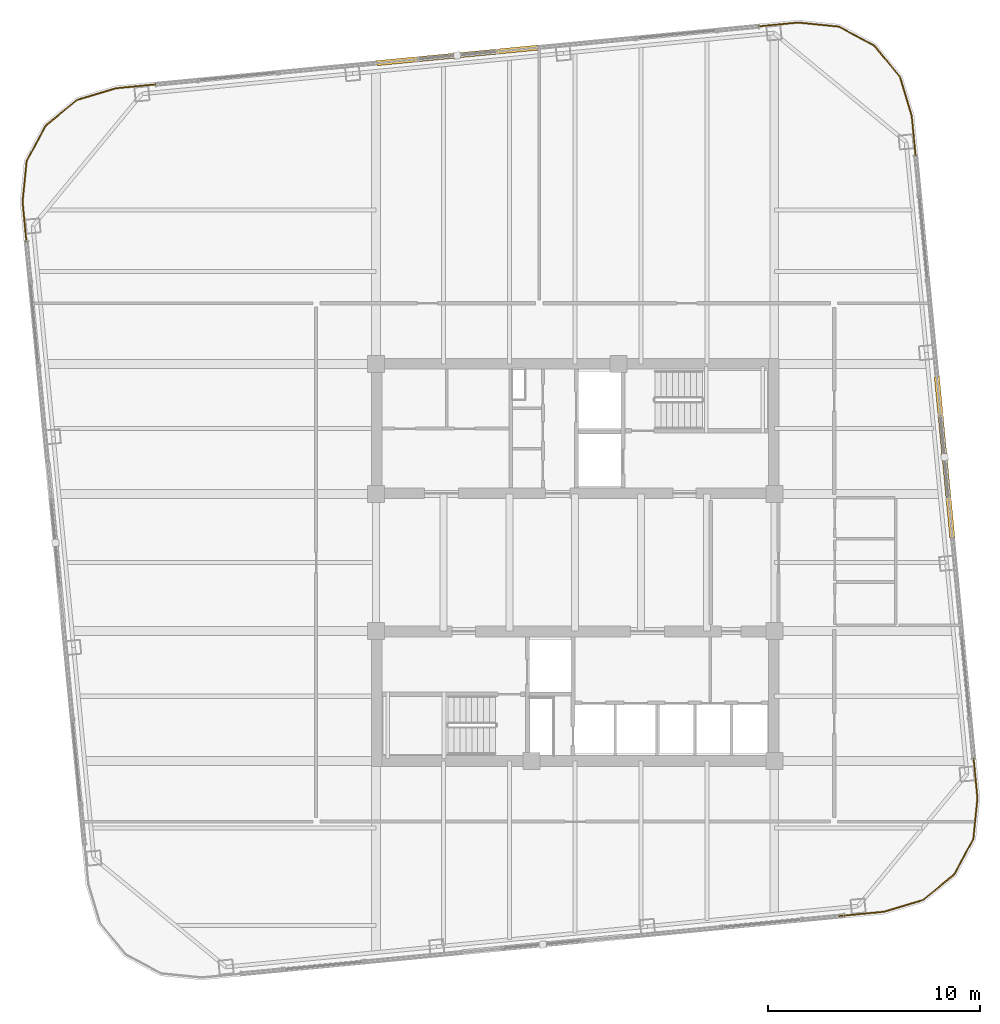
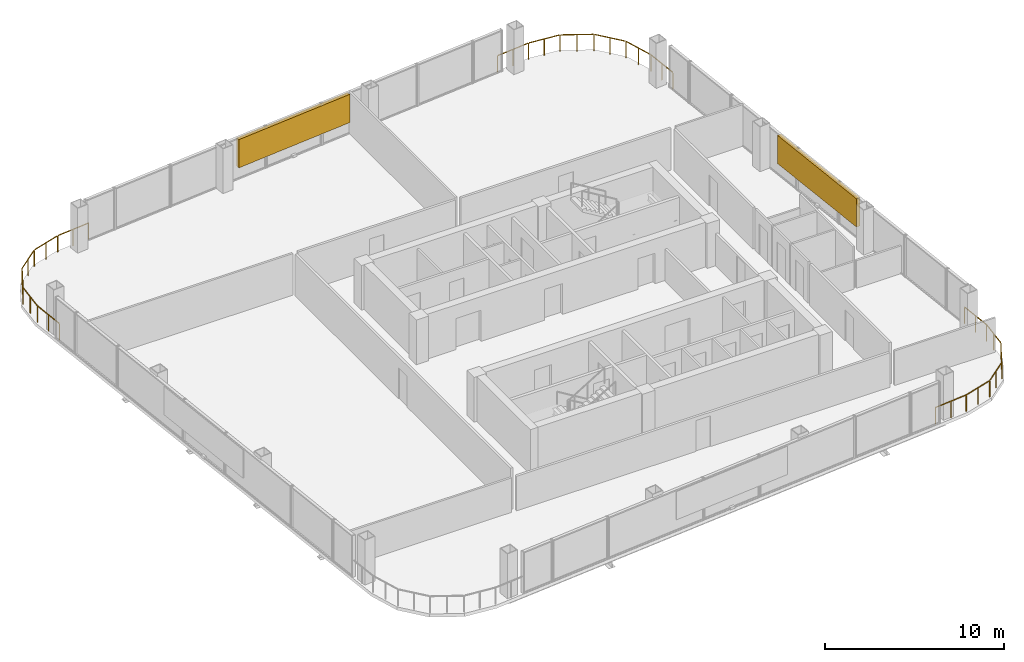
# One storey, part 21 of 21: 4 railings, 2 shading devices.
"""IFC4 building model written with IfcOpenShell, lengths in metres."""

from ifc_helpers import new_model, si_unit, direction, frame, origin, origin_2d, place, context, subcontext, project, spatial, rectangle, extrude, material, type_object, element, save


model = new_model("IFC4")

# Units and contexts
model_context = context("Model", 3, precision=1e-05, world=origin(), true_north=direction((0.0, 1.0)))
body_context = subcontext(model_context, "Body", "Model", "MODEL_VIEW")
ifc_project = project(units=[si_unit("LENGTHUNIT", "METRE"), si_unit("AREAUNIT", "SQUARE_METRE"), si_unit("VOLUMEUNIT", "CUBIC_METRE"), si_unit("PLANEANGLEUNIT", "RADIAN"), si_unit("MASSUNIT", "GRAM", prefix="KILO")], contexts=[model_context])

# Site, building, storey
site_placement = place(None, origin())
site = spatial("IfcSite", under=ifc_project, at=site_placement, CompositionType="ELEMENT")
building_placement = place(site_placement, origin())
building = spatial("IfcBuilding", under=site, at=building_placement, Name="Qhalaya Broadcast Tower", CompositionType="ELEMENT")
storey_placement = place(building_placement, frame((0.0, 0.0, 162.25)))
storey = spatial("IfcBuildingStorey", under=building, at=storey_placement, Name="L47", CompositionType="ELEMENT", Elevation=162.25)

# Railings
ifc_material_1 = material(Name="Powder-Coated Galvanised Steel", Category="steel")
railing_type = type_object("IfcRailingType", Name="Terrace, Sky-Pool & Lookout Glass Balustrade 1150", PredefinedType="BALUSTRADE", material=ifc_material_1)
railing_1_placement = place(storey_placement, frame((14.53955078125, -15.846435546875, 0.0)))
element("IfcRailing", 1, at=railing_1_placement, inside=storey, type_object=railing_type, Name="L47 Rounded Corner Perimeter Guard 01", PredefinedType="BALUSTRADE", context=body_context, shape_type="SweptSolid", body=[
    extrude(rectangle(XDim=0.048095703125, YDim=0.048095703125, at=origin_2d()), frame((0.0, 0.0, 1.1259765625), z_axis=(-0.995402268864, -0.095782687057, 0.0), x_axis=(0.095782687057, -0.995402268864, 0.0)), (0.0, 0.0, 1.0), 2.1181640625),
    extrude(rectangle(XDim=0.0419921875, YDim=0.0419921875, at=origin_2d()), origin(), (0.0, 0.0, 1.0), 1.099853515625),
    extrude(rectangle(XDim=0.0419921875, YDim=0.0419921875, at=origin_2d()), frame((-1.05419921875, -0.1015625, 0.0)), (0.0, 0.0, 1.0), 1.099853515625),
    extrude(rectangle(XDim=0.0419921875, YDim=0.0419921875, at=origin_2d()), frame((-2.1083984375, -0.202880859375, 0.0)), (0.0, 0.0, 1.0), 1.099853515625),
])
railing_2_placement = place(storey_placement, frame((-25.81689453125, 15.479736328125, 0.0)))
element("IfcRailing", 2, at=railing_2_placement, inside=storey, type_object=railing_type, Name="L47 Rounded Corner Perimeter Guard 03", PredefinedType="BALUSTRADE", context=body_context, shape_type="SweptSolid", body=[
    extrude(rectangle(XDim=0.048095703125, YDim=0.048095703125, at=origin_2d()), frame((0.0, 0.0, 1.1259765625), z_axis=(-0.095896889673, 0.995391273094, 0.0), x_axis=(-0.995391273094, -0.095896889673, 0.0)), (0.0, 0.0, 1.0), 2.08935546875),
    extrude(rectangle(XDim=0.048095703125, YDim=0.048095703125, at=origin_2d()), frame((-0.2001953125, 2.13720703125, 1.1259765625), z_axis=(0.100185175984, 0.994968808814, 0.0), x_axis=(-0.994968808814, 0.100185175984, 0.0)), (0.0, 0.0, 1.0), 1.857666015625),
    extrude(rectangle(XDim=0.048095703125, YDim=0.048095703125, at=origin_2d()), frame((0.00244140625, 4.03955078125, 1.1259765625), z_axis=(0.473342342286, 0.880878554058, 0.0), x_axis=(-0.880878554058, 0.473342342286, 0.0)), (0.0, 0.0, 1.0), 1.845458984375),
    extrude(rectangle(XDim=0.048095703125, YDim=0.048095703125, at=origin_2d()), frame((0.912109375, 5.708984375, 1.1259765625), z_axis=(0.774368685352, 0.632734651451, 0.0), x_axis=(-0.632734651451, 0.774368685352, 0.0)), (0.0, 0.0, 1.0), 1.84521484375),
    extrude(rectangle(XDim=0.048095703125, YDim=0.048095703125, at=origin_2d()), frame((2.390869140625, 6.903076171875, 1.1259765625), z_axis=(0.957576860039, 0.288177995547, 0.0), x_axis=(-0.288177995547, 0.957576860039, 0.0)), (0.0, 0.0, 1.0), 1.857666015625),
    extrude(rectangle(XDim=0.048095703125, YDim=0.048095703125, at=origin_2d()), frame((4.226318359375, 7.449462890625, 1.1259765625), z_axis=(0.995402268864, 0.095782687057, 0.0), x_axis=(-0.095782687057, 0.995402268864, 0.0)), (0.0, 0.0, 1.0), 2.08935546875),
    extrude(rectangle(XDim=0.0419921875, YDim=0.0419921875, at=origin_2d()), origin(), (0.0, 0.0, 1.0), 1.099853515625),
    extrude(rectangle(XDim=0.0419921875, YDim=0.0419921875, at=origin_2d()), frame((-0.1015625, 1.05419921875, 0.0)), (0.0, 0.0, 1.0), 1.099853515625),
    extrude(rectangle(XDim=0.0419921875, YDim=0.0419921875, at=origin_2d()), frame((-0.203125, 2.1083984375, 0.0)), (0.0, 0.0, 1.0), 1.099853515625),
    extrude(rectangle(XDim=0.0419921875, YDim=0.0419921875, at=origin_2d()), frame((-0.107177734375, 3.061279296875, 0.0)), (0.0, 0.0, 1.0), 1.099853515625),
    extrude(rectangle(XDim=0.0419921875, YDim=0.0419921875, at=origin_2d()), frame((-0.01123046875, 4.01416015625, 0.0)), (0.0, 0.0, 1.0), 1.099853515625),
    extrude(rectangle(XDim=0.0419921875, YDim=0.0419921875, at=origin_2d()), frame((0.439208984375, 4.8525390625, 0.0)), (0.0, 0.0, 1.0), 1.099853515625),
    extrude(rectangle(XDim=0.0419921875, YDim=0.0419921875, at=origin_2d()), frame((0.8896484375, 5.690673828125, 0.0)), (0.0, 0.0, 1.0), 1.099853515625),
    extrude(rectangle(XDim=0.0419921875, YDim=0.0419921875, at=origin_2d()), frame((1.62646484375, 6.292724609375, 0.0)), (0.0, 0.0, 1.0), 1.099853515625),
    extrude(rectangle(XDim=0.0419921875, YDim=0.0419921875, at=origin_2d()), frame((2.36328125, 6.894775390625, 0.0)), (0.0, 0.0, 1.0), 1.099853515625),
    extrude(rectangle(XDim=0.0419921875, YDim=0.0419921875, at=origin_2d()), frame((3.2802734375, 7.1708984375, 0.0)), (0.0, 0.0, 1.0), 1.099853515625),
    extrude(rectangle(XDim=0.0419921875, YDim=0.0419921875, at=origin_2d()), frame((4.197509765625, 7.44677734375, 0.0)), (0.0, 0.0, 1.0), 1.099853515625),
    extrude(rectangle(XDim=0.0419921875, YDim=0.0419921875, at=origin_2d()), frame((5.251708984375, 7.54833984375, 0.0)), (0.0, 0.0, 1.0), 1.099853515625),
    extrude(rectangle(XDim=0.0419921875, YDim=0.0419921875, at=origin_2d()), frame((6.305908203125, 7.649658203125, 0.0)), (0.0, 0.0, 1.0), 1.099853515625),
])
railing_3_placement = place(storey_placement, frame((8.39990234375, 25.81689453125, 0.0)))
element("IfcRailing", 3, at=railing_3_placement, inside=storey, type_object=railing_type, Name="L47 Rounded Corner Perimeter Guard 04", PredefinedType="BALUSTRADE", context=body_context, shape_type="SweptSolid", body=[
    extrude(rectangle(XDim=0.048095703125, YDim=0.048095703125, at=origin_2d()), frame((0.0, 0.0, 1.1259765625), z_axis=(0.995391273094, 0.095896889673, 0.0), x_axis=(-0.095896889673, 0.995391273094, 0.0)), (0.0, 0.0, 1.0), 2.08935546875),
    extrude(rectangle(XDim=0.048095703125, YDim=0.048095703125, at=origin_2d()), frame((2.13720703125, 0.2001953125, 1.1259765625), z_axis=(0.994967529225, -0.100197883148, 0.0), x_axis=(0.100197883148, 0.994967529225, 0.0)), (0.0, 0.0, 1.0), 1.857421875),
    extrude(rectangle(XDim=0.048095703125, YDim=0.048095703125, at=origin_2d()), frame((4.039306640625, -0.00244140625, 1.1259765625), z_axis=(0.880878554058, -0.473342342286, 0.0), x_axis=(0.473342342286, 0.880878554058, 0.0)), (0.0, 0.0, 1.0), 1.845458984375),
    extrude(rectangle(XDim=0.048095703125, YDim=0.048095703125, at=origin_2d()), frame((5.708740234375, -0.912109375, 1.1259765625), z_axis=(0.632734651451, -0.774368685352, 0.0), x_axis=(0.774368685352, 0.632734651451, 0.0)), (0.0, 0.0, 1.0), 1.84521484375),
    extrude(rectangle(XDim=0.048095703125, YDim=0.048095703125, at=origin_2d()), frame((6.90283203125, -2.390869140625, 1.1259765625), z_axis=(0.288177995547, -0.957576860039, 0.0), x_axis=(0.957576860039, 0.288177995547, 0.0)), (0.0, 0.0, 1.0), 1.857666015625),
    extrude(rectangle(XDim=0.048095703125, YDim=0.048095703125, at=origin_2d()), frame((7.44921875, -4.226318359375, 1.1259765625), z_axis=(0.095782687057, -0.995402268864, 0.0), x_axis=(0.995402268864, 0.095782687057, 0.0)), (0.0, 0.0, 1.0), 2.08935546875),
    extrude(rectangle(XDim=0.0419921875, YDim=0.0419921875, at=origin_2d()), origin(), (0.0, 0.0, 1.0), 1.099853515625),
    extrude(rectangle(XDim=0.0419921875, YDim=0.0419921875, at=origin_2d()), frame((1.05419921875, 0.1015625, 0.0)), (0.0, 0.0, 1.0), 1.099853515625),
    extrude(rectangle(XDim=0.0419921875, YDim=0.0419921875, at=origin_2d()), frame((2.1083984375, 0.203125, 0.0)), (0.0, 0.0, 1.0), 1.099853515625),
    extrude(rectangle(XDim=0.0419921875, YDim=0.0419921875, at=origin_2d()), frame((3.06103515625, 0.107177734375, 0.0)), (0.0, 0.0, 1.0), 1.099853515625),
    extrude(rectangle(XDim=0.0419921875, YDim=0.0419921875, at=origin_2d()), frame((4.013916015625, 0.01123046875, 0.0)), (0.0, 0.0, 1.0), 1.099853515625),
    extrude(rectangle(XDim=0.0419921875, YDim=0.0419921875, at=origin_2d()), frame((4.85205078125, -0.439208984375, 0.0)), (0.0, 0.0, 1.0), 1.099853515625),
    extrude(rectangle(XDim=0.0419921875, YDim=0.0419921875, at=origin_2d()), frame((5.6904296875, -0.8896484375, 0.0)), (0.0, 0.0, 1.0), 1.099853515625),
    extrude(rectangle(XDim=0.0419921875, YDim=0.0419921875, at=origin_2d()), frame((6.29248046875, -1.62646484375, 0.0)), (0.0, 0.0, 1.0), 1.099853515625),
    extrude(rectangle(XDim=0.0419921875, YDim=0.0419921875, at=origin_2d()), frame((6.89453125, -2.36328125, 0.0)), (0.0, 0.0, 1.0), 1.099853515625),
    extrude(rectangle(XDim=0.0419921875, YDim=0.0419921875, at=origin_2d()), frame((7.17041015625, -3.2802734375, 0.0)), (0.0, 0.0, 1.0), 1.099853515625),
    extrude(rectangle(XDim=0.0419921875, YDim=0.0419921875, at=origin_2d()), frame((7.446533203125, -4.197509765625, 0.0)), (0.0, 0.0, 1.0), 1.099853515625),
    extrude(rectangle(XDim=0.0419921875, YDim=0.0419921875, at=origin_2d()), frame((7.5478515625, -5.251708984375, 0.0)), (0.0, 0.0, 1.0), 1.099853515625),
    extrude(rectangle(XDim=0.0419921875, YDim=0.0419921875, at=origin_2d()), frame((7.6494140625, -6.305908203125, 0.0)), (0.0, 0.0, 1.0), 1.099853515625),
])
railing_4_placement = place(storey_placement, frame((18.73681640625, -8.39990234375, 0.0)))
element("IfcRailing", 4, at=railing_4_placement, inside=storey, type_object=railing_type, Name="L47 Rounded Corner Perimeter Guard 05", PredefinedType="BALUSTRADE", context=body_context, shape_type="SweptSolid", body=[
    extrude(rectangle(XDim=0.048095703125, YDim=0.048095703125, at=origin_2d()), frame((0.0, 0.0, 1.1259765625), z_axis=(0.095896889673, -0.995391273094, 0.0), x_axis=(0.995391273094, 0.095896889673, 0.0)), (0.0, 0.0, 1.0), 2.08935546875),
    extrude(rectangle(XDim=0.048095703125, YDim=0.048095703125, at=origin_2d()), frame((0.2001953125, -2.13720703125, 1.1259765625), z_axis=(-0.100197883148, -0.994967529225, 0.0), x_axis=(0.994967529225, -0.100197883148, 0.0)), (0.0, 0.0, 1.0), 1.857421875),
    extrude(rectangle(XDim=0.048095703125, YDim=0.048095703125, at=origin_2d()), frame((-0.00244140625, -4.039306640625, 1.1259765625), z_axis=(-0.473242797018, -0.880932037714, 0.0), x_axis=(0.880932037714, -0.473242797018, 0.0)), (0.0, 0.0, 1.0), 1.845458984375),
    extrude(rectangle(XDim=0.048095703125, YDim=0.048095703125, at=origin_2d()), frame((-0.911865234375, -5.708740234375, 1.1259765625), z_axis=(-0.774420039683, -0.632671796541, 0.0), x_axis=(0.632671796541, -0.774420039683, 0.0)), (0.0, 0.0, 1.0), 1.845458984375),
    extrude(rectangle(XDim=0.048095703125, YDim=0.048095703125, at=origin_2d()), frame((-2.390869140625, -6.90283203125, 1.1259765625), z_axis=(-0.95756627332, -0.288213171456, 0.0), x_axis=(0.288213171456, -0.95756627332, 0.0)), (0.0, 0.0, 1.0), 1.886474609375),
    extrude(rectangle(XDim=0.0419921875, YDim=0.0419921875, at=origin_2d()), origin(), (0.0, 0.0, 1.0), 1.099853515625),
    extrude(rectangle(XDim=0.0419921875, YDim=0.0419921875, at=origin_2d()), frame((0.1015625, -1.05419921875, 0.0)), (0.0, 0.0, 1.0), 1.099853515625),
    extrude(rectangle(XDim=0.0419921875, YDim=0.0419921875, at=origin_2d()), frame((0.203125, -2.1083984375, 0.0)), (0.0, 0.0, 1.0), 1.099853515625),
    extrude(rectangle(XDim=0.0419921875, YDim=0.0419921875, at=origin_2d()), frame((0.107177734375, -3.06103515625, 0.0)), (0.0, 0.0, 1.0), 1.099853515625),
    extrude(rectangle(XDim=0.0419921875, YDim=0.0419921875, at=origin_2d()), frame((0.01123046875, -4.013916015625, 0.0)), (0.0, 0.0, 1.0), 1.099853515625),
    extrude(rectangle(XDim=0.0419921875, YDim=0.0419921875, at=origin_2d()), frame((-0.43896484375, -4.85205078125, 0.0)), (0.0, 0.0, 1.0), 1.099853515625),
    extrude(rectangle(XDim=0.0419921875, YDim=0.0419921875, at=origin_2d()), frame((-0.889404296875, -5.6904296875, 0.0)), (0.0, 0.0, 1.0), 1.099853515625),
    extrude(rectangle(XDim=0.0419921875, YDim=0.0419921875, at=origin_2d()), frame((-1.62646484375, -6.29248046875, 0.0)), (0.0, 0.0, 1.0), 1.099853515625),
    extrude(rectangle(XDim=0.0419921875, YDim=0.0419921875, at=origin_2d()), frame((-2.36328125, -6.89453125, 0.0)), (0.0, 0.0, 1.0), 1.099853515625),
    extrude(rectangle(XDim=0.0419921875, YDim=0.0419921875, at=origin_2d()), frame((-3.2802734375, -7.17041015625, 0.0)), (0.0, 0.0, 1.0), 1.099853515625),
    extrude(rectangle(XDim=0.0419921875, YDim=0.0419921875, at=origin_2d()), frame((-4.197265625, -7.446533203125, 0.0)), (0.0, 0.0, 1.0), 1.099853515625),
])

# Shading devices
ifc_material_2 = material(Name="Fired Architectural Terracotta", Category="masonry")
shading_device_type = type_object("IfcShadingDeviceType", Name="Terracotta Baguette Solar Screen Assembly TBS-01", PredefinedType="USERDEFINED", material=ifc_material_2)
for number, where, z_axis, x_axis, name in (
    (5, (17.393310546875, 5.5556640625, 0.79248046875), (0.0, 0.0, 1.0), (-0.09584575252, 0.995396198367, 0.0), "L47 Fired Terracotta Baguette Screen E"),
    (6, (-5.5556640625, 24.47314453125, 0.79248046875), (0.0, 0.0, 1.0), (-0.995396198367, -0.09584575252, 0.0), "L47 Fired Terracotta Baguette Screen N"),
):
    element("IfcShadingDevice", number, at=place(storey_placement, frame(where, z_axis=z_axis, x_axis=x_axis)), inside=storey, type_object=shading_device_type, Name=name, ObjectType="BAGUETTE", PredefinedType="USERDEFINED", context=body_context, shape_type="SweptSolid", body=[
        extrude(rectangle(XDim=7.60009765625, YDim=0.239990234375, at=origin_2d()), origin(), (0.0, 0.0, 1.0), 1.924072265625),
    ])

save(model, "model.ifc")
